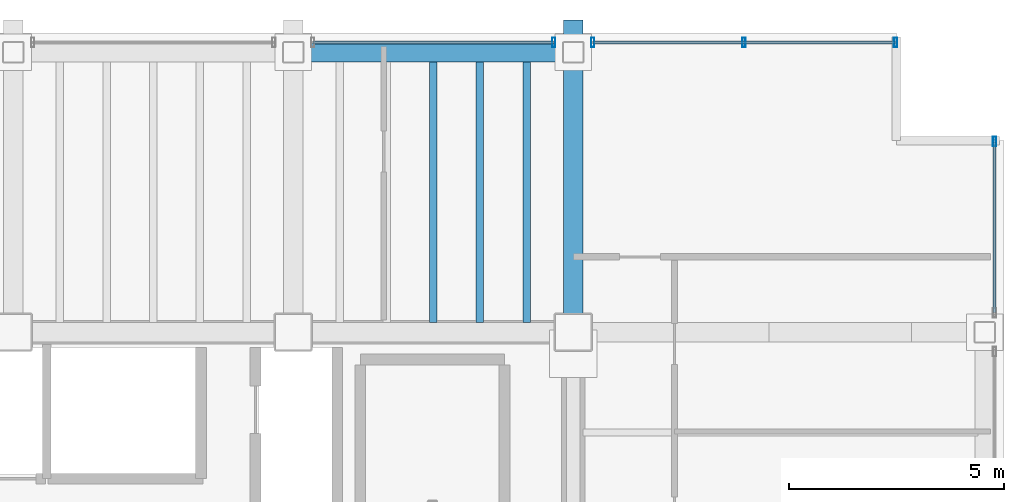
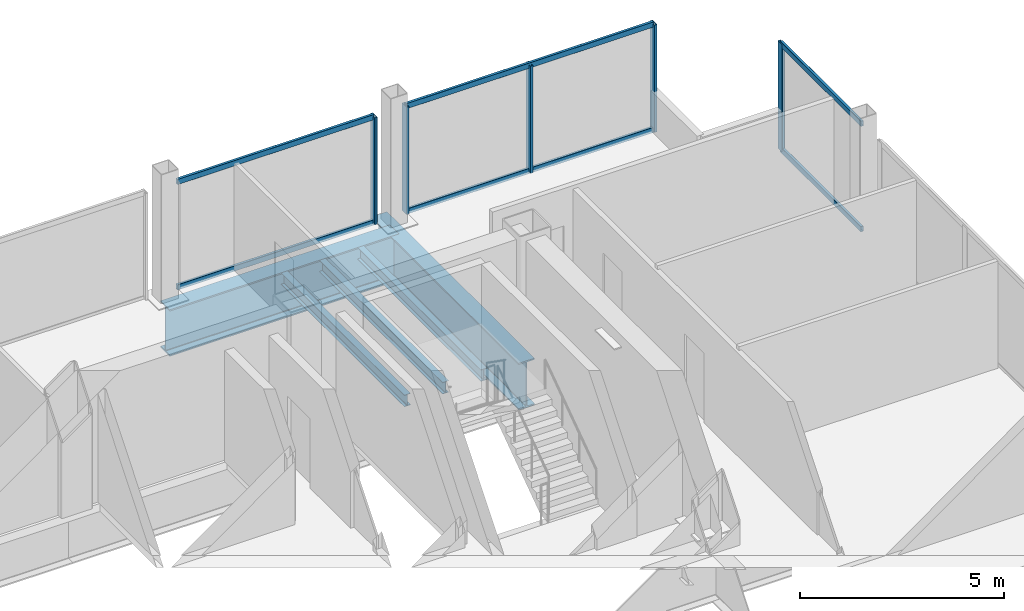
# One storey, part 14 of 19: 11 members, 5 beams, 3 elements without a shape of their own.
"""IFC4 building model written with IfcOpenShell, lengths in metres."""

from ifc_helpers import new_model, si_unit, direction, frame, origin, origin_2d, place, context, subcontext, project, spatial, hollow_rectangle, i_section, extrude, material, material_profile, profile_set, type_object, element, aggregate, save


model = new_model("IFC4")

# Units and contexts
model_context = context("Model", 3, precision=1e-05, world=origin(), true_north=direction((0.0, 1.0)))
body_context = subcontext(model_context, "Body", "Model", "MODEL_VIEW")
ifc_project = project(units=[si_unit("LENGTHUNIT", "METRE"), si_unit("AREAUNIT", "SQUARE_METRE"), si_unit("VOLUMEUNIT", "CUBIC_METRE"), si_unit("PLANEANGLEUNIT", "RADIAN"), si_unit("MASSUNIT", "GRAM", prefix="KILO")], contexts=[model_context])

# Site, building, storey
site_placement = place(None, origin())
site = spatial("IfcSite", under=ifc_project, at=site_placement, CompositionType="ELEMENT")
building_placement = place(site_placement, origin())
building = spatial("IfcBuilding", under=site, at=building_placement, Name="Noeulbin Bourse Tower", CompositionType="ELEMENT")
storey_placement = place(building_placement, frame((0.0, 0.0, 169.5)))
storey = spatial("IfcBuildingStorey", under=building, at=storey_placement, Name="L42", CompositionType="ELEMENT", Elevation=169.5)

# Beams
ifc_material_1 = material(Name="Steel S355", Category="steel")
ifc_material_profile_1 = material_profile(ifc_material_1, i_section(OverallWidth=0.175048828125, OverallDepth=0.35009765625, WebThickness=0.007080078125, FlangeThickness=0.010986328125, FilletRadius=0.013916015625, at=origin_2d()), Name="H-350x175x7x11", Category="LoadBearing")
ifc_profile_set_1 = profile_set([ifc_material_profile_1], Name="Steel S355")
beam_type_1 = type_object("IfcBeamType", Name="BM-JST-350", PredefinedType="JOIST", material=ifc_profile_set_1)
for number, where, z_axis, x_axis, name in (
    (1, (40.75, 38.52490234375, -0.4150390625), (0.0, 1.0, 0.0), (-1.0, 0.0, 0.0), "Tower Composite Joist L42-58"),
    (2, (41.833251953125, 38.52490234375, -0.4150390625), (0.0, 1.0, 0.0), (-1.0, 0.0, 0.0), "Tower Composite Joist L42-61"),
    (3, (42.916748046875, 38.52490234375, -0.4150390625), (0.0, 1.0, 0.0), (-1.0, 0.0, 0.0), "Tower Composite Joist L42-64"),
):
    element("IfcBeam", number, at=place(storey_placement, frame(where, z_axis=z_axis, x_axis=x_axis)), inside=storey, type_object=beam_type_1, Name=name, PredefinedType="JOIST", context=body_context, shape_type="SweptSolid", body=[
        extrude(i_section(OverallWidth=0.175048828125, OverallDepth=0.35009765625, WebThickness=0.007080078125, FlangeThickness=0.010986328125, FilletRadius=0.013916015625, at=origin_2d()), origin(), (0.0, 0.0, 1.0), 6.050048828125),
    ])
ifc_material_2 = material(Name="Steel S460", Category="steel")
ifc_material_profile_2 = material_profile(ifc_material_2, i_section(OverallWidth=0.449951171875, OverallDepth=1.39990234375, WebThickness=0.02392578125, FlangeThickness=0.0400390625, FilletRadius=0.02392578125, at=origin_2d()), Name="PG-1400x450x24x40", Category="LoadBearing")
ifc_profile_set_2 = profile_set([ifc_material_profile_2], Name="Steel S460")
beam_type_2 = type_object("IfcBeamType", Name="BM-TRF-1400", PredefinedType="USERDEFINED", material=ifc_profile_set_2)
beam_1_placement = place(storey_placement, frame((44.0, 38.300048828125, -0.93994140625), z_axis=(0.0, 1.0, 0.0), x_axis=(-1.0, 0.0, 0.0)))
element("IfcBeam", 4, at=beam_1_placement, inside=storey, type_object=beam_type_2, Name="Tower Primary Girder NS L42-5.4", ObjectType="GIRDER", PredefinedType="USERDEFINED", context=body_context, shape_type="SweptSolid", body=[
    extrude(i_section(OverallWidth=0.449951171875, OverallDepth=1.39990234375, WebThickness=0.02392578125, FlangeThickness=0.0400390625, FilletRadius=0.02392578125, at=origin_2d()), origin(), (0.0, 0.0, 1.0), 7.25),
])
beam_2_placement = place(storey_placement, frame((37.5, 44.800048828125, -0.93994140625), z_axis=(1.0, 0.0, 0.0), x_axis=(0.0, 1.0, 0.0)))
element("IfcBeam", 5, at=beam_2_placement, inside=storey, type_object=beam_type_2, Name="North Spandrel L42-4", ObjectType="GIRDER", PredefinedType="USERDEFINED", context=body_context, shape_type="SweptSolid", body=[
    extrude(i_section(OverallWidth=0.449951171875, OverallDepth=1.39990234375, WebThickness=0.02392578125, FlangeThickness=0.0400390625, FilletRadius=0.02392578125, at=origin_2d()), origin(), (0.0, 0.0, 1.0), 6.5),
])

# Curtain wall, member
ifc_material_3 = material(Name="Dark Tinted Triple Glazing", Category="glass")
curtain_wall_type = type_object("IfcCurtainWallType", Name="CW-SYS-3", PredefinedType="NOTDEFINED", material=ifc_material_3)
curtain_wall_1_placement = place(storey_placement, origin())
curtain_wall_1 = element("IfcCurtainWall", 6, at=curtain_wall_1_placement, inside=storey, type_object=curtain_wall_type, Name="Unitised Curtain Wall CW-L42-N-S4", PredefinedType="NOTDEFINED")
ifc_material_4 = material(Name="Anodised Aluminium 6063-T6", Category="aluminium")
ifc_material_profile_3 = material_profile(ifc_material_4, hollow_rectangle(XDim=0.074951171875, YDim=0.219970703125, WallThickness=0.0048828125, InnerFilletRadius=0.00244140625, OuterFilletRadius=0.0048828125, at=origin_2d()), Name="ALU-MULL-75x220x5", Category="LoadBearing")
ifc_profile_set_3 = profile_set([ifc_material_profile_3], Name="Anodised Aluminium 6063-T6")
member_type_1 = type_object("IfcMemberType", Name="CW-SYS-3-MUL", PredefinedType="MULLION", material=ifc_profile_set_3)
member_1_placement = place(storey_placement, frame((43.550048828125, 45.030029296875, -0.02001953125), z_axis=(0.0, 0.0, 1.0), x_axis=(1.0, 0.0, 0.0)))
member_1 = element("IfcMember", 7, at=member_1_placement, type_object=member_type_1, Name="Curtain Wall Mullion CW-L42-N-S4-M01", PredefinedType="MULLION", context=body_context, shape_type="SweptSolid", body=[
    extrude(hollow_rectangle(XDim=0.074951171875, YDim=0.219970703125, WallThickness=0.0048828125, InnerFilletRadius=0.00244140625, OuterFilletRadius=0.0048828125, at=origin_2d()), origin(), (0.0, 0.0, 1.0), 3.219970703125),
])

# Curtain wall, members
curtain_wall_2_placement = place(storey_placement, origin())
curtain_wall_2 = element("IfcCurtainWall", 8, at=curtain_wall_2_placement, inside=storey, type_object=curtain_wall_type, Name="Unitised Curtain Wall CW-L42-N-S5", PredefinedType="NOTDEFINED")
member_2_placement = place(storey_placement, frame((44.449951171875, 45.030029296875, -0.02001953125), z_axis=(0.0, 0.0, 1.0), x_axis=(1.0, 0.0, 0.0)))
member_2 = element("IfcMember", 9, at=member_2_placement, type_object=member_type_1, Name="Curtain Wall Mullion CW-L42-N-S5-M00", PredefinedType="MULLION", context=body_context, shape_type="SweptSolid", body=[
    extrude(hollow_rectangle(XDim=0.074951171875, YDim=0.219970703125, WallThickness=0.0048828125, InnerFilletRadius=0.00244140625, OuterFilletRadius=0.0048828125, at=origin_2d()), origin(), (0.0, 0.0, 1.0), 3.219970703125),
])
member_3_placement = place(storey_placement, frame((47.965087890625, 45.030029296875, -0.02001953125), z_axis=(0.0, 0.0, 1.0), x_axis=(1.0, 0.0, 0.0)))
member_3 = element("IfcMember", 10, at=member_3_placement, type_object=member_type_1, Name="Curtain Wall Mullion CW-L42-N-S5-M01", PredefinedType="MULLION", context=body_context, shape_type="SweptSolid", body=[
    extrude(hollow_rectangle(XDim=0.074951171875, YDim=0.219970703125, WallThickness=0.0048828125, InnerFilletRadius=0.00244140625, OuterFilletRadius=0.0048828125, at=origin_2d()), origin(), (0.0, 0.0, 1.0), 3.219970703125),
])
member_4_placement = place(storey_placement, frame((51.47998046875, 45.030029296875, -0.02001953125), z_axis=(0.0, 0.0, 1.0), x_axis=(1.0, 0.0, 0.0)))
member_4 = element("IfcMember", 11, at=member_4_placement, type_object=member_type_1, Name="Curtain Wall Mullion CW-L42-N-S5-M02", PredefinedType="MULLION", context=body_context, shape_type="SweptSolid", body=[
    extrude(hollow_rectangle(XDim=0.074951171875, YDim=0.219970703125, WallThickness=0.0048828125, InnerFilletRadius=0.00244140625, OuterFilletRadius=0.0048828125, at=origin_2d()), origin(), (0.0, 0.0, 1.0), 3.219970703125),
])

# Curtain wall, member
curtain_wall_3_placement = place(storey_placement, origin())
curtain_wall_3 = element("IfcCurtainWall", 12, at=curtain_wall_3_placement, inside=storey, type_object=curtain_wall_type, Name="Unitised Curtain Wall CW-L42-E-S3", PredefinedType="NOTDEFINED")
member_5_placement = place(storey_placement, frame((53.780029296875, 42.72998046875, -0.02001953125), z_axis=(0.0, 0.0, 1.0), x_axis=(1.0, 0.0, 0.0)))
member_5 = element("IfcMember", 13, at=member_5_placement, type_object=member_type_1, Name="Curtain Wall Mullion CW-L42-E-S3-M01", PredefinedType="MULLION", context=body_context, shape_type="SweptSolid", body=[
    extrude(hollow_rectangle(XDim=0.074951171875, YDim=0.219970703125, WallThickness=0.0048828125, InnerFilletRadius=0.00244140625, OuterFilletRadius=0.0048828125, at=origin_2d()), origin(), (0.0, 0.0, 1.0), 3.219970703125),
])

# Member
ifc_material_profile_4 = material_profile(ifc_material_4, hollow_rectangle(XDim=0.074951171875, YDim=0.159912109375, WallThickness=0.0048828125, InnerFilletRadius=0.00244140625, OuterFilletRadius=0.0048828125, at=origin_2d()), Name="ALU-TRAN-75x160x5", Category="LoadBearing")
ifc_profile_set_4 = profile_set([ifc_material_profile_4], Name="Anodised Aluminium 6063-T6")
member_type_2 = type_object("IfcMemberType", Name="CW-SYS-3-TRN", PredefinedType="USERDEFINED", material=ifc_profile_set_4)
member_6_placement = place(storey_placement, frame((37.9599609375, 45.030029296875, 0.010009765625), z_axis=(1.0, 0.0, 0.0), x_axis=(0.0, 1.0, 0.0)))
member_6 = element("IfcMember", 14, at=member_6_placement, type_object=member_type_2, Name="Curtain Wall Transom CW-L42-N-S4-T00", ObjectType="TRANSOM", PredefinedType="USERDEFINED", context=body_context, shape_type="SweptSolid", body=[
    extrude(hollow_rectangle(XDim=0.074951171875, YDim=0.159912109375, WallThickness=0.0048828125, InnerFilletRadius=0.00244140625, OuterFilletRadius=0.0048828125, at=origin_2d()), origin(), (0.0, 0.0, 1.0), 5.580078125),
])

member_7_placement = place(storey_placement, frame((37.9599609375, 45.030029296875, 3.169921875), z_axis=(1.0, 0.0, 0.0), x_axis=(0.0, 1.0, 0.0)))
member_7 = element("IfcMember", 15, at=member_7_placement, type_object=member_type_2, Name="Curtain Wall Transom CW-L42-N-S4-T01", ObjectType="TRANSOM", PredefinedType="USERDEFINED", context=body_context, shape_type="SweptSolid", body=[
    extrude(hollow_rectangle(XDim=0.074951171875, YDim=0.159912109375, WallThickness=0.0048828125, InnerFilletRadius=0.00244140625, OuterFilletRadius=0.0048828125, at=origin_2d()), origin(), (0.0, 0.0, 1.0), 5.580078125),
])

aggregate(curtain_wall_1, [member_1, member_6, member_7])

member_8_placement = place(storey_placement, frame((44.4599609375, 45.030029296875, 0.010009765625), z_axis=(1.0, 0.0, 0.0), x_axis=(0.0, 1.0, 0.0)))
member_8 = element("IfcMember", 16, at=member_8_placement, type_object=member_type_2, Name="Curtain Wall Transom CW-L42-N-S5-T00", ObjectType="TRANSOM", PredefinedType="USERDEFINED", context=body_context, shape_type="SweptSolid", body=[
    extrude(hollow_rectangle(XDim=0.074951171875, YDim=0.159912109375, WallThickness=0.0048828125, InnerFilletRadius=0.00244140625, OuterFilletRadius=0.0048828125, at=origin_2d()), origin(), (0.0, 0.0, 1.0), 7.010009765625),
])

member_9_placement = place(storey_placement, frame((44.4599609375, 45.030029296875, 3.169921875), z_axis=(1.0, 0.0, 0.0), x_axis=(0.0, 1.0, 0.0)))
member_9 = element("IfcMember", 17, at=member_9_placement, type_object=member_type_2, Name="Curtain Wall Transom CW-L42-N-S5-T01", ObjectType="TRANSOM", PredefinedType="USERDEFINED", context=body_context, shape_type="SweptSolid", body=[
    extrude(hollow_rectangle(XDim=0.074951171875, YDim=0.159912109375, WallThickness=0.0048828125, InnerFilletRadius=0.00244140625, OuterFilletRadius=0.0048828125, at=origin_2d()), origin(), (0.0, 0.0, 1.0), 7.010009765625),
])

aggregate(curtain_wall_2, [member_2, member_3, member_4, member_8, member_9])

member_10_placement = place(storey_placement, frame((53.780029296875, 38.760009765625, 0.010009765625), z_axis=(0.0, 1.0, 0.0), x_axis=(-1.0, 0.0, 0.0)))
member_10 = element("IfcMember", 18, at=member_10_placement, type_object=member_type_2, Name="Curtain Wall Transom CW-L42-E-S3-T00", ObjectType="TRANSOM", PredefinedType="USERDEFINED", context=body_context, shape_type="SweptSolid", body=[
    extrude(hollow_rectangle(XDim=0.074951171875, YDim=0.159912109375, WallThickness=0.0048828125, InnerFilletRadius=0.00244140625, OuterFilletRadius=0.0048828125, at=origin_2d()), origin(), (0.0, 0.0, 1.0), 3.9599609375),
])

member_11_placement = place(storey_placement, frame((53.780029296875, 38.760009765625, 3.169921875), z_axis=(0.0, 1.0, 0.0), x_axis=(-1.0, 0.0, 0.0)))
member_11 = element("IfcMember", 19, at=member_11_placement, type_object=member_type_2, Name="Curtain Wall Transom CW-L42-E-S3-T01", ObjectType="TRANSOM", PredefinedType="USERDEFINED", context=body_context, shape_type="SweptSolid", body=[
    extrude(hollow_rectangle(XDim=0.074951171875, YDim=0.159912109375, WallThickness=0.0048828125, InnerFilletRadius=0.00244140625, OuterFilletRadius=0.0048828125, at=origin_2d()), origin(), (0.0, 0.0, 1.0), 3.9599609375),
])

aggregate(curtain_wall_3, [member_5, member_10, member_11])

save(model, "model.ifc")
